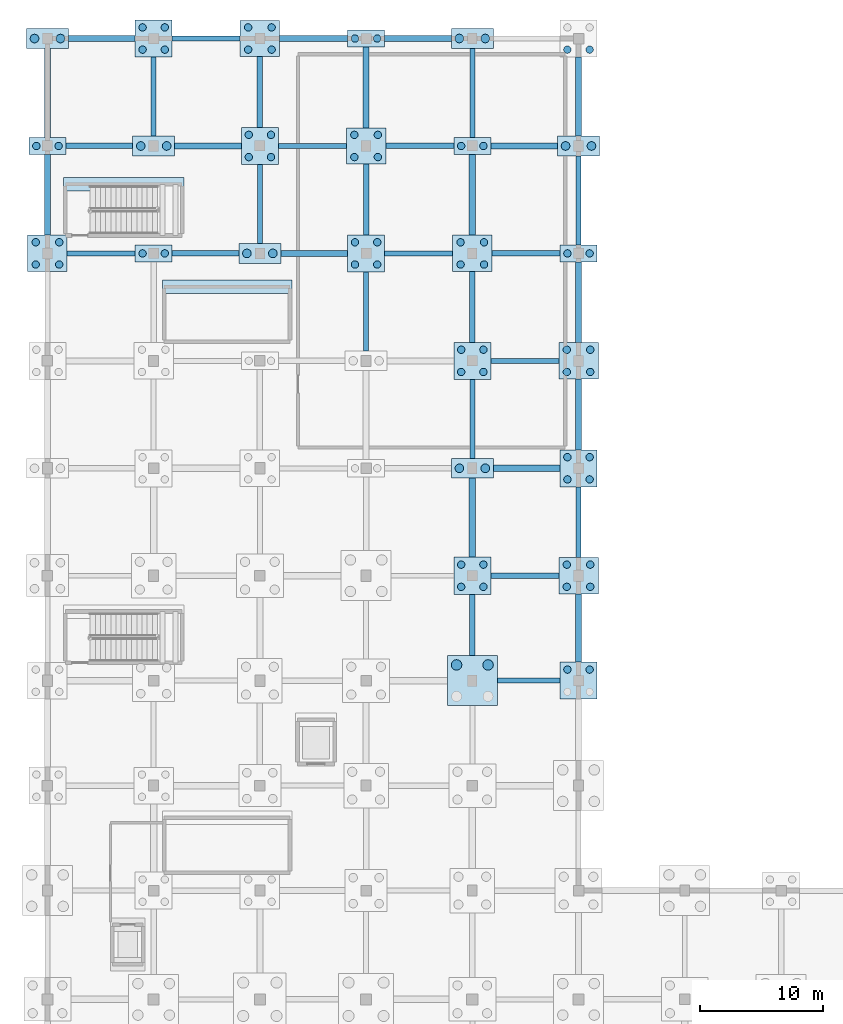
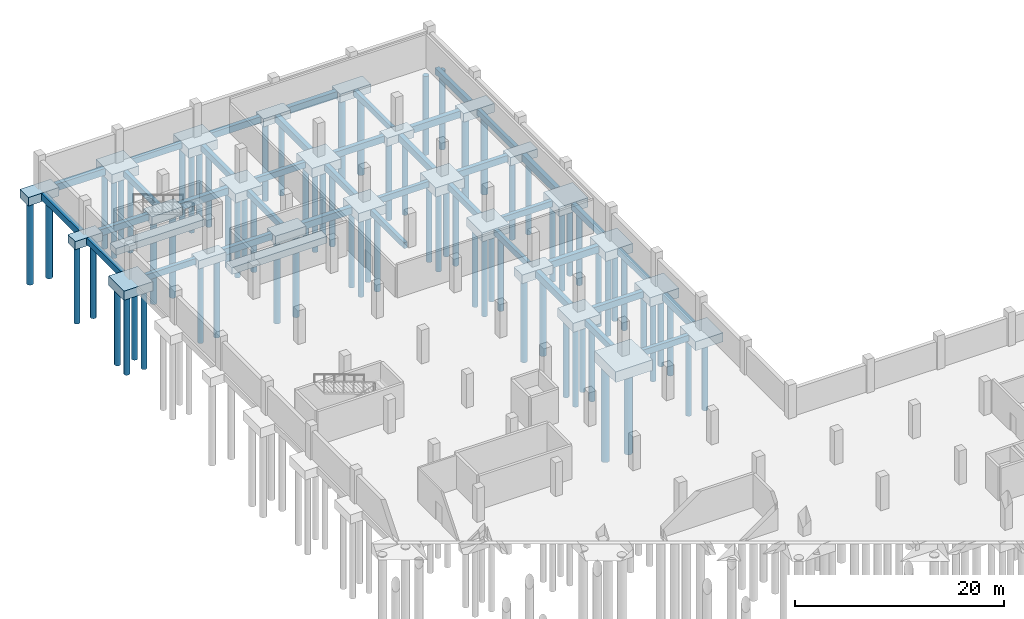
# One storey, part 8 of 28: 76 piles, 65 footings.
"""IFC4 building model written with IfcOpenShell, lengths in metres."""

from ifc_helpers import new_model, si_unit, direction, frame, origin, origin_2d, place, context, subcontext, project, spatial, rectangle, circle, extrude, material, material_profile, profile_set, type_object, element, save


model = new_model("IFC4")

# Units and contexts
model_context = context("Model", 3, precision=1e-05, world=origin(), true_north=direction((0.0, 1.0)))
body_context = subcontext(model_context, "Body", "Model", "MODEL_VIEW")
ifc_project = project(units=[si_unit("LENGTHUNIT", "METRE"), si_unit("AREAUNIT", "SQUARE_METRE"), si_unit("VOLUMEUNIT", "CUBIC_METRE"), si_unit("PLANEANGLEUNIT", "RADIAN"), si_unit("MASSUNIT", "GRAM", prefix="KILO")], contexts=[model_context])

# Site, building, storey
site_placement = place(None, origin())
site = spatial("IfcSite", under=ifc_project, at=site_placement, CompositionType="ELEMENT")
building_placement = place(site_placement, origin())
building = spatial("IfcBuilding", under=site, at=building_placement, Name="Varnakota Cinema and Media Centre", CompositionType="ELEMENT")
storey_placement = place(building_placement, frame((0.0, 0.0, -4.199951171875)))
storey = spatial("IfcBuildingStorey", under=building, at=storey_placement, Name="B1", CompositionType="ELEMENT", Elevation=-4.199951171875)

# Footings
ifc_material_1 = material(Name="Concrete M35", Category="concrete")
ifc_material_profile_1 = material_profile(ifc_material_1, rectangle(XDim=0.39990234375, YDim=0.699951171875, at=origin_2d()), Name="FB 400x700")
ifc_profile_set_1 = profile_set([ifc_material_profile_1], Name="Concrete M35")
footing_type_1 = type_object("IfcFootingType", Name="FB-400x700", PredefinedType="FOOTING_BEAM", material=ifc_profile_set_1)
footing_1_placement = place(storey_placement, frame((36.425048828125, 61.0, -0.60009765625), z_axis=(1.0, 0.0, 0.0), x_axis=(0.0, 1.0, 0.0)))
element("IfcFooting", 1, at=footing_1_placement, inside=storey, type_object=footing_type_1, Name="Foundation tie beam E-F/8", PredefinedType="FOOTING_BEAM", context=body_context, shape_type="SweptSolid", body=[
    extrude(rectangle(XDim=0.39990234375, YDim=0.699951171875, at=origin_2d()), origin(), (0.0, 0.0, 1.0), 5.074951171875),
])
for number, where, z_axis, x_axis, name in (
    (2, (35.89990234375, 86.89990234375, -0.60009765625), (1.0, 0.0, 0.0), (0.0, 1.0, 0.0), "Foundation tie beam E-F/11"),
    (3, (1.60009765625, 95.60009765625, -0.60009765625), (1.0, 0.0, 0.0), (0.0, 1.0, 0.0), "Foundation tie beam A-B/12"),
    (4, (27.300048828125, 95.60009765625, -0.60009765625), (1.0, 0.0, 0.0), (0.0, 1.0, 0.0), "Foundation tie beam D-E/12"),
    (5, (18.699951171875, 104.300048828125, -0.60009765625), (1.0, 0.0, 0.0), (0.0, 1.0, 0.0), "Foundation tie beam C-D/13"),
    (6, (10.10009765625, 113.0, -0.60009765625), (1.0, 0.0, 0.0), (0.0, 1.0, 0.0), "Foundation tie beam B-C/14"),
):
    element("IfcFooting", number, at=place(storey_placement, frame(where, z_axis=z_axis, x_axis=x_axis)), inside=storey, type_object=footing_type_1, Name=name, PredefinedType="FOOTING_BEAM", context=body_context, shape_type="SweptSolid", body=[
        extrude(rectangle(XDim=0.39990234375, YDim=0.699951171875, at=origin_2d()), origin(), (0.0, 0.0, 1.0), 5.5),
    ])
footing_2_placement = place(storey_placement, frame((8.60009765625, 105.10009765625, -0.60009765625), z_axis=(0.0, 1.0, 0.0), x_axis=(-1.0, 0.0, 0.0)))
element("IfcFooting", 7, at=footing_2_placement, inside=storey, type_object=footing_type_1, Name="Foundation tie beam B/13-14", PredefinedType="FOOTING_BEAM", context=body_context, shape_type="SweptSolid", body=[
    extrude(rectangle(XDim=0.39990234375, YDim=0.699951171875, at=origin_2d()), origin(), (0.0, 0.0, 1.0), 6.39990234375),
])
for number, where, z_axis, x_axis, name in (
    (8, (17.199951171875, 96.39990234375, -0.60009765625), (0.0, 1.0, 0.0), (-1.0, 0.0, 0.0), "Foundation tie beam C/12-13"),
    (9, (25.800048828125, 87.699951171875, -0.60009765625), (0.0, 1.0, 0.0), (-1.0, 0.0, 0.0), "Foundation tie beam D/11-12"),
):
    element("IfcFooting", number, at=place(storey_placement, frame(where, z_axis=z_axis, x_axis=x_axis)), inside=storey, type_object=footing_type_1, Name=name, PredefinedType="FOOTING_BEAM", context=body_context, shape_type="SweptSolid", body=[
        extrude(rectangle(XDim=0.39990234375, YDim=0.699951171875, at=origin_2d()), origin(), (0.0, 0.0, 1.0), 6.400146484375),
    ])
footing_3_placement = place(storey_placement, frame((34.39990234375, 79.0, -0.60009765625), z_axis=(0.0, 1.0, 0.0), x_axis=(-1.0, 0.0, 0.0)))
element("IfcFooting", 10, at=footing_3_placement, inside=storey, type_object=footing_type_1, Name="Foundation tie beam E/10-11", PredefinedType="FOOTING_BEAM", context=body_context, shape_type="SweptSolid", body=[
    extrude(rectangle(XDim=0.39990234375, YDim=0.699951171875, at=origin_2d()), origin(), (0.0, 0.0, 1.0), 6.39990234375),
])
footing_4_placement = place(storey_placement, frame((34.39990234375, 105.0, -0.60009765625), z_axis=(0.0, 1.0, 0.0), x_axis=(-1.0, 0.0, 0.0)))
element("IfcFooting", 11, at=footing_4_placement, inside=storey, type_object=footing_type_1, Name="Foundation tie beam E/13-14", PredefinedType="FOOTING_BEAM", context=body_context, shape_type="SweptSolid", body=[
    extrude(rectangle(XDim=0.39990234375, YDim=0.699951171875, at=origin_2d()), origin(), (0.0, 0.0, 1.0), 7.199951171875),
])
footing_5_placement = place(storey_placement, frame((43.0, 70.97509765625, -0.60009765625), z_axis=(0.0, 1.0, 0.0), x_axis=(-1.0, 0.0, 0.0)))
element("IfcFooting", 12, at=footing_5_placement, inside=storey, type_object=footing_type_1, Name="Foundation tie beam F/9-10", PredefinedType="FOOTING_BEAM", context=body_context, shape_type="SweptSolid", body=[
    extrude(rectangle(XDim=0.39990234375, YDim=0.699951171875, at=origin_2d()), origin(), (0.0, 0.0, 1.0), 5.724853515625),
])
footing_6_placement = place(storey_placement, frame((43.0, 96.300048828125, -0.60009765625), z_axis=(0.0, 1.0, 0.0), x_axis=(-1.0, 0.0, 0.0)))
element("IfcFooting", 13, at=footing_6_placement, inside=storey, type_object=footing_type_1, Name="Foundation tie beam F/12-13", PredefinedType="FOOTING_BEAM", context=body_context, shape_type="SweptSolid", body=[
    extrude(rectangle(XDim=0.39990234375, YDim=0.699951171875, at=origin_2d()), origin(), (0.0, 0.0, 1.0), 7.199951171875),
])
ifc_material_2 = material(Name="Concrete M35", Category="concrete")
ifc_material_profile_2 = material_profile(ifc_material_2, rectangle(XDim=0.449951171875, YDim=0.75, at=origin_2d()), Name="FB 450x750")
ifc_profile_set_2 = profile_set([ifc_material_profile_2], Name="Concrete M35")
footing_type_2 = type_object("IfcFootingType", Name="FB-450x750", PredefinedType="FOOTING_BEAM", material=ifc_profile_set_2)
footing_7_placement = place(storey_placement, frame((35.89990234375, 69.5, -0.625), z_axis=(1.0, 0.0, 0.0), x_axis=(0.0, 1.0, 0.0)))
element("IfcFooting", 14, at=footing_7_placement, inside=storey, type_object=footing_type_2, Name="Foundation tie beam E-F/9", PredefinedType="FOOTING_BEAM", context=body_context, shape_type="SweptSolid", body=[
    extrude(rectangle(XDim=0.449951171875, YDim=0.75, at=origin_2d()), origin(), (0.0, 0.0, 1.0), 5.5),
])
footing_8_placement = place(storey_placement, frame((10.10009765625, 95.60009765625, -0.625), z_axis=(1.0, 0.0, 0.0), x_axis=(0.0, 1.0, 0.0)))
element("IfcFooting", 15, at=footing_8_placement, inside=storey, type_object=footing_type_2, Name="Foundation tie beam B-C/12", PredefinedType="FOOTING_BEAM", context=body_context, shape_type="SweptSolid", body=[
    extrude(rectangle(XDim=0.449951171875, YDim=0.75, at=origin_2d()), origin(), (0.0, 0.0, 1.0), 5.39990234375),
])
footing_9_placement = place(storey_placement, frame((36.0, 95.60009765625, -0.625), z_axis=(1.0, 0.0, 0.0), x_axis=(0.0, 1.0, 0.0)))
element("IfcFooting", 16, at=footing_9_placement, inside=storey, type_object=footing_type_2, Name="Foundation tie beam E-F/12", PredefinedType="FOOTING_BEAM", context=body_context, shape_type="SweptSolid", body=[
    extrude(rectangle(XDim=0.449951171875, YDim=0.75, at=origin_2d()), origin(), (0.0, 0.0, 1.0), 5.5),
])
footing_10_placement = place(storey_placement, frame((1.5, 104.300048828125, -0.625), z_axis=(1.0, 0.0, 0.0), x_axis=(0.0, 1.0, 0.0)))
element("IfcFooting", 17, at=footing_10_placement, inside=storey, type_object=footing_type_2, Name="Foundation tie beam A-B/13", PredefinedType="FOOTING_BEAM", context=body_context, shape_type="SweptSolid", body=[
    extrude(rectangle(XDim=0.449951171875, YDim=0.75, at=origin_2d()), origin(), (0.0, 0.0, 1.0), 5.39990234375),
])
for number, where, z_axis, x_axis, name in (
    (18, (27.39990234375, 104.300048828125, -0.625), (1.0, 0.0, 0.0), (0.0, 1.0, 0.0), "Foundation tie beam D-E/13"),
    (19, (18.800048828125, 113.0, -0.625), (1.0, 0.0, 0.0), (0.0, 1.0, 0.0), "Foundation tie beam C-D/14"),
):
    element("IfcFooting", number, at=place(storey_placement, frame(where, z_axis=z_axis, x_axis=x_axis)), inside=storey, type_object=footing_type_2, Name=name, PredefinedType="FOOTING_BEAM", context=body_context, shape_type="SweptSolid", body=[
        extrude(rectangle(XDim=0.449951171875, YDim=0.75, at=origin_2d()), origin(), (0.0, 0.0, 1.0), 5.5),
    ])
footing_11_placement = place(storey_placement, frame((0.0, 97.074951171875, -0.625), z_axis=(0.0, 1.0, 0.0), x_axis=(-1.0, 0.0, 0.0)))
element("IfcFooting", 20, at=footing_11_placement, inside=storey, type_object=footing_type_2, Name="Foundation tie beam A/12-13", PredefinedType="FOOTING_BEAM", context=body_context, shape_type="SweptSolid", body=[
    extrude(rectangle(XDim=0.449951171875, YDim=0.75, at=origin_2d()), origin(), (0.0, 0.0, 1.0), 6.525146484375),
])
for number, where, z_axis, x_axis, name in (
    (21, (17.199951171875, 105.800048828125, -0.625), (0.0, 1.0, 0.0), (-1.0, 0.0, 0.0), "Foundation tie beam C/13-14"),
    (22, (25.800048828125, 97.10009765625, -0.625), (0.0, 1.0, 0.0), (-1.0, 0.0, 0.0), "Foundation tie beam D/12-13"),
):
    element("IfcFooting", number, at=place(storey_placement, frame(where, z_axis=z_axis, x_axis=x_axis)), inside=storey, type_object=footing_type_2, Name=name, PredefinedType="FOOTING_BEAM", context=body_context, shape_type="SweptSolid", body=[
        extrude(rectangle(XDim=0.449951171875, YDim=0.75, at=origin_2d()), origin(), (0.0, 0.0, 1.0), 5.724853515625),
    ])
footing_12_placement = place(storey_placement, frame((34.39990234375, 63.02490234375, -0.625), z_axis=(0.0, 1.0, 0.0), x_axis=(-1.0, 0.0, 0.0)))
element("IfcFooting", 23, at=footing_12_placement, inside=storey, type_object=footing_type_2, Name="Foundation tie beam E/8-9", PredefinedType="FOOTING_BEAM", context=body_context, shape_type="SweptSolid", body=[
    extrude(rectangle(XDim=0.449951171875, YDim=0.75, at=origin_2d()), origin(), (0.0, 0.0, 1.0), 4.97509765625),
])
for number, where, z_axis, x_axis, name in (
    (24, (34.39990234375, 88.39990234375, -0.625), (0.0, 1.0, 0.0), (-1.0, 0.0, 0.0), "Foundation tie beam E/11-12"),
    (25, (43.0, 79.699951171875, -0.625), (0.0, 1.0, 0.0), (-1.0, 0.0, 0.0), "Foundation tie beam F/10-11"),
):
    element("IfcFooting", number, at=place(storey_placement, frame(where, z_axis=z_axis, x_axis=x_axis)), inside=storey, type_object=footing_type_2, Name=name, PredefinedType="FOOTING_BEAM", context=body_context, shape_type="SweptSolid", body=[
        extrude(rectangle(XDim=0.449951171875, YDim=0.75, at=origin_2d()), origin(), (0.0, 0.0, 1.0), 5.72509765625),
    ])
footing_13_placement = place(storey_placement, frame((43.0, 105.10009765625, -0.625), z_axis=(0.0, 1.0, 0.0), x_axis=(-1.0, 0.0, 0.0)))
element("IfcFooting", 26, at=footing_13_placement, inside=storey, type_object=footing_type_2, Name="Foundation tie beam F/13-14", PredefinedType="FOOTING_BEAM", context=body_context, shape_type="SweptSolid", body=[
    extrude(rectangle(XDim=0.449951171875, YDim=0.75, at=origin_2d()), origin(), (0.0, 0.0, 1.0), 6.39990234375),
])
ifc_material_3 = material(Name="Concrete M35", Category="concrete")
ifc_material_profile_3 = material_profile(ifc_material_3, rectangle(XDim=0.5, YDim=0.800048828125, at=origin_2d()), Name="FB 500x800")
ifc_profile_set_3 = profile_set([ifc_material_profile_3], Name="Concrete M35")
footing_type_3 = type_object("IfcFootingType", Name="FB-500x800", PredefinedType="FOOTING_BEAM", material=ifc_profile_set_3)
footing_14_placement = place(storey_placement, frame((36.10009765625, 78.199951171875, -0.650146484375), z_axis=(1.0, 0.0, 0.0), x_axis=(0.0, 1.0, 0.0)))
element("IfcFooting", 27, at=footing_14_placement, inside=storey, type_object=footing_type_3, Name="Foundation tie beam E-F/10", PredefinedType="FOOTING_BEAM", context=body_context, shape_type="SweptSolid", body=[
    extrude(rectangle(XDim=0.5, YDim=0.800048828125, at=origin_2d()), origin(), (0.0, 0.0, 1.0), 5.39990234375),
])
footing_15_placement = place(storey_placement, frame((18.89990234375, 95.60009765625, -0.650146484375), z_axis=(1.0, 0.0, 0.0), x_axis=(0.0, 1.0, 0.0)))
element("IfcFooting", 28, at=footing_15_placement, inside=storey, type_object=footing_type_3, Name="Foundation tie beam C-D/12", PredefinedType="FOOTING_BEAM", context=body_context, shape_type="SweptSolid", body=[
    extrude(rectangle(XDim=0.5, YDim=0.800048828125, at=origin_2d()), origin(), (0.0, 0.0, 1.0), 5.400146484375),
])
footing_16_placement = place(storey_placement, frame((10.300048828125, 104.300048828125, -0.650146484375), z_axis=(1.0, 0.0, 0.0), x_axis=(0.0, 1.0, 0.0)))
element("IfcFooting", 29, at=footing_16_placement, inside=storey, type_object=footing_type_3, Name="Foundation tie beam B-C/13", PredefinedType="FOOTING_BEAM", context=body_context, shape_type="SweptSolid", body=[
    extrude(rectangle(XDim=0.5, YDim=0.800048828125, at=origin_2d()), origin(), (0.0, 0.0, 1.0), 5.39990234375),
])
for number, where, z_axis, x_axis, name in (
    (30, (35.89990234375, 104.300048828125, -0.650146484375), (1.0, 0.0, 0.0), (0.0, 1.0, 0.0), "Foundation tie beam E-F/13"),
    (31, (1.699951171875, 113.0, -0.650146484375), (1.0, 0.0, 0.0), (0.0, 1.0, 0.0), "Foundation tie beam A-B/14"),
):
    element("IfcFooting", number, at=place(storey_placement, frame(where, z_axis=z_axis, x_axis=x_axis)), inside=storey, type_object=footing_type_3, Name=name, PredefinedType="FOOTING_BEAM", context=body_context, shape_type="SweptSolid", body=[
        extrude(rectangle(XDim=0.5, YDim=0.800048828125, at=origin_2d()), origin(), (0.0, 0.0, 1.0), 5.400146484375),
    ])
footing_17_placement = place(storey_placement, frame((27.300048828125, 113.0, -0.650146484375), z_axis=(1.0, 0.0, 0.0), x_axis=(0.0, 1.0, 0.0)))
element("IfcFooting", 32, at=footing_17_placement, inside=storey, type_object=footing_type_3, Name="Foundation tie beam D-E/14", PredefinedType="FOOTING_BEAM", context=body_context, shape_type="SweptSolid", body=[
    extrude(rectangle(XDim=0.5, YDim=0.800048828125, at=origin_2d()), origin(), (0.0, 0.0, 1.0), 5.39990234375),
])
footing_18_placement = place(storey_placement, frame((0.0, 105.0, -0.650146484375), z_axis=(0.0, 1.0, 0.0), x_axis=(-1.0, 0.0, 0.0)))
element("IfcFooting", 33, at=footing_18_placement, inside=storey, type_object=footing_type_3, Name="Foundation tie beam A/13-14", PredefinedType="FOOTING_BEAM", context=body_context, shape_type="SweptSolid", body=[
    extrude(rectangle(XDim=0.5, YDim=0.800048828125, at=origin_2d()), origin(), (0.0, 0.0, 1.0), 7.199951171875),
])
footing_19_placement = place(storey_placement, frame((25.800048828125, 105.77490234375, -0.650146484375), z_axis=(0.0, 1.0, 0.0), x_axis=(-1.0, 0.0, 0.0)))
element("IfcFooting", 34, at=footing_19_placement, inside=storey, type_object=footing_type_3, Name="Foundation tie beam D/13-14", PredefinedType="FOOTING_BEAM", context=body_context, shape_type="SweptSolid", body=[
    extrude(rectangle(XDim=0.5, YDim=0.800048828125, at=origin_2d()), origin(), (0.0, 0.0, 1.0), 6.525146484375),
])
footing_20_placement = place(storey_placement, frame((34.39990234375, 71.0, -0.650146484375), z_axis=(0.0, 1.0, 0.0), x_axis=(-1.0, 0.0, 0.0)))
element("IfcFooting", 35, at=footing_20_placement, inside=storey, type_object=footing_type_3, Name="Foundation tie beam E/9-10", PredefinedType="FOOTING_BEAM", context=body_context, shape_type="SweptSolid", body=[
    extrude(rectangle(XDim=0.5, YDim=0.800048828125, at=origin_2d()), origin(), (0.0, 0.0, 1.0), 6.39990234375),
])
footing_21_placement = place(storey_placement, frame((34.39990234375, 97.074951171875, -0.650146484375), z_axis=(0.0, 1.0, 0.0), x_axis=(-1.0, 0.0, 0.0)))
element("IfcFooting", 36, at=footing_21_placement, inside=storey, type_object=footing_type_3, Name="Foundation tie beam E/12-13", PredefinedType="FOOTING_BEAM", context=body_context, shape_type="SweptSolid", body=[
    extrude(rectangle(XDim=0.5, YDim=0.800048828125, at=origin_2d()), origin(), (0.0, 0.0, 1.0), 6.525146484375),
])
footing_22_placement = place(storey_placement, frame((43.0, 62.5, -0.650146484375), z_axis=(0.0, 1.0, 0.0), x_axis=(-1.0, 0.0, 0.0)))
element("IfcFooting", 37, at=footing_22_placement, inside=storey, type_object=footing_type_3, Name="Foundation tie beam F/8-9", PredefinedType="FOOTING_BEAM", context=body_context, shape_type="SweptSolid", body=[
    extrude(rectangle(XDim=0.5, YDim=0.800048828125, at=origin_2d()), origin(), (0.0, 0.0, 1.0), 5.52490234375),
])
footing_23_placement = place(storey_placement, frame((43.0, 88.375, -0.650146484375), z_axis=(0.0, 1.0, 0.0), x_axis=(-1.0, 0.0, 0.0)))
element("IfcFooting", 38, at=footing_23_placement, inside=storey, type_object=footing_type_3, Name="Foundation tie beam F/11-12", PredefinedType="FOOTING_BEAM", context=body_context, shape_type="SweptSolid", body=[
    extrude(rectangle(XDim=0.5, YDim=0.800048828125, at=origin_2d()), origin(), (0.0, 0.0, 1.0), 6.52490234375),
])
ifc_material_4 = material(Name="Concrete M35", Category="concrete")
footing_type_4 = type_object("IfcFootingType", Name="PC-2P-600", PredefinedType="PILE_CAP", material=ifc_material_4)
for number, where, z_axis, x_axis, name in (
    (39, (0.0, 104.300048828125, -1.2001953125), (0.0, 0.0, 1.0), (1.0, 0.0, 0.0), "Pile cap A/13"),
    (40, (8.60009765625, 95.60009765625, -1.2001953125), (0.0, 0.0, 1.0), (1.0, 0.0, 0.0), "Pile cap B/12"),
    (41, (25.800048828125, 113.0, -1.2001953125), (0.0, 0.0, 1.0), (1.0, 0.0, 0.0), "Pile cap D/14"),
    (42, (34.39990234375, 104.300048828125, -1.2001953125), (0.0, 0.0, 1.0), (1.0, 0.0, 0.0), "Pile cap E/13"),
    (43, (43.0, 95.60009765625, -1.2001953125), (0.0, 0.0, 1.0), (1.0, 0.0, 0.0), "Pile cap F/12"),
):
    element("IfcFooting", number, at=place(storey_placement, frame(where, z_axis=z_axis, x_axis=x_axis)), inside=storey, type_object=footing_type_4, Name=name, PredefinedType="PILE_CAP", context=body_context, shape_type="SweptSolid", body=[
        extrude(rectangle(XDim=3.0, YDim=1.39990234375, at=origin_2d()), origin(), (0.0, 0.0, 1.0), 0.949951171875),
    ])
ifc_material_5 = material(Name="Concrete M35", Category="concrete")
footing_type_5 = type_object("IfcFootingType", Name="PC-2P-700", PredefinedType="PILE_CAP", material=ifc_material_5)
for number, where, z_axis, x_axis, name in (
    (44, (0.0, 113.0, -1.25), (0.0, 0.0, 1.0), (1.0, 0.0, 0.0), "Pile cap A/14"),
    (45, (8.60009765625, 104.300048828125, -1.25), (0.0, 0.0, 1.0), (1.0, 0.0, 0.0), "Pile cap B/13"),
    (46, (17.199951171875, 95.60009765625, -1.25), (0.0, 0.0, 1.0), (1.0, 0.0, 0.0), "Pile cap C/12"),
    (47, (34.39990234375, 78.199951171875, -1.25), (0.0, 0.0, 1.0), (1.0, 0.0, 0.0), "Pile cap E/10"),
    (48, (34.39990234375, 113.0, -1.25), (0.0, 0.0, 1.0), (1.0, 0.0, 0.0), "Pile cap E/14"),
    (49, (43.0, 104.300048828125, -1.25), (0.0, 0.0, 1.0), (1.0, 0.0, 0.0), "Pile cap F/13"),
):
    element("IfcFooting", number, at=place(storey_placement, frame(where, z_axis=z_axis, x_axis=x_axis)), inside=storey, type_object=footing_type_5, Name=name, PredefinedType="PILE_CAP", context=body_context, shape_type="SweptSolid", body=[
        extrude(rectangle(XDim=3.39990234375, YDim=1.60009765625, at=origin_2d()), origin(), (0.0, 0.0, 1.0), 1.0),
    ])
ifc_material_6 = material(Name="Concrete M35", Category="concrete")
footing_type_6 = type_object("IfcFootingType", Name="PC-4P-600", PredefinedType="PILE_CAP", material=ifc_material_6)
for number, where, z_axis, x_axis, name in (
    (50, (8.60009765625, 113.0, -1.30029296875), (0.0, 0.0, 1.0), (1.0, 0.0, 0.0), "Pile cap B/14"),
    (51, (17.199951171875, 104.300048828125, -1.30029296875), (0.0, 0.0, 1.0), (1.0, 0.0, 0.0), "Pile cap C/13"),
    (52, (25.800048828125, 95.60009765625, -1.30029296875), (0.0, 0.0, 1.0), (1.0, 0.0, 0.0), "Pile cap D/12"),
    (53, (34.39990234375, 69.5, -1.30029296875), (0.0, 0.0, 1.0), (1.0, 0.0, 0.0), "Pile cap E/9"),
    (54, (34.39990234375, 86.89990234375, -1.30029296875), (0.0, 0.0, 1.0), (1.0, 0.0, 0.0), "Pile cap E/11"),
    (55, (43.0, 61.0, -1.30029296875), (0.0, 0.0, 1.0), (1.0, 0.0, 0.0), "Pile cap F/8"),
    (56, (43.0, 78.199951171875, -1.30029296875), (0.0, 0.0, 1.0), (1.0, 0.0, 0.0), "Pile cap F/10"),
):
    element("IfcFooting", number, at=place(storey_placement, frame(where, z_axis=z_axis, x_axis=x_axis)), inside=storey, type_object=footing_type_6, Name=name, PredefinedType="PILE_CAP", context=body_context, shape_type="SweptSolid", body=[
        extrude(rectangle(XDim=3.0, YDim=3.0, at=origin_2d()), origin(), (0.0, 0.0, 1.0), 1.050048828125),
    ])
ifc_material_7 = material(Name="Concrete M35", Category="concrete")
footing_type_7 = type_object("IfcFootingType", Name="PC-4P-600R", PredefinedType="PILE_CAP", material=ifc_material_7)
for number, where, z_axis, x_axis, name in (
    (57, (0.0, 95.60009765625, -1.330078125), (0.0, 0.0, 1.0), (1.0, 0.0, 0.0), "Pile cap A/12"),
    (58, (17.199951171875, 113.0, -1.330078125), (0.0, 0.0, 1.0), (1.0, 0.0, 0.0), "Pile cap C/14"),
    (59, (25.800048828125, 104.300048828125, -1.330078125), (0.0, 0.0, 1.0), (1.0, 0.0, 0.0), "Pile cap D/13"),
    (60, (34.39990234375, 95.60009765625, -1.330078125), (0.0, 0.0, 1.0), (1.0, 0.0, 0.0), "Pile cap E/12"),
    (61, (43.0, 69.5, -1.330078125), (0.0, 0.0, 1.0), (1.0, 0.0, 0.0), "Pile cap F/9"),
    (62, (43.0, 86.89990234375, -1.330078125), (0.0, 0.0, 1.0), (1.0, 0.0, 0.0), "Pile cap F/11"),
):
    element("IfcFooting", number, at=place(storey_placement, frame(where, z_axis=z_axis, x_axis=x_axis)), inside=storey, type_object=footing_type_7, Name=name, PredefinedType="PILE_CAP", context=body_context, shape_type="SweptSolid", body=[
        extrude(rectangle(XDim=3.199951171875, YDim=2.949951171875, at=origin_2d()), origin(), (0.0, 0.0, 1.0), 1.080078125),
    ])
ifc_material_8 = material(Name="Concrete M35", Category="concrete")
footing_type_8 = type_object("IfcFootingType", Name="PC-4P-850", PredefinedType="PILE_CAP", material=ifc_material_8)
footing_24_placement = place(storey_placement, frame((34.39990234375, 61.0, -1.5), z_axis=(0.0, 0.0, 1.0), x_axis=(1.0, 0.0, 0.0)))
element("IfcFooting", 63, at=footing_24_placement, inside=storey, type_object=footing_type_8, Name="Pile cap E/8", PredefinedType="PILE_CAP", context=body_context, shape_type="SweptSolid", body=[
    extrude(rectangle(XDim=4.050048828125, YDim=4.050048828125, at=origin_2d()), origin(), (0.0, 0.0, 1.0), 1.25),
])

# Piles
ifc_material_9 = material(Name="Concrete M35", Category="concrete")
ifc_material_profile_4 = material_profile(ifc_material_9, circle(Radius=0.300048828125, at=origin_2d()), Name="PILE D600")
ifc_profile_set_4 = profile_set([ifc_material_profile_4], Name="Concrete M35")
pile_type_1 = type_object("IfcPileType", Name="PILE-D600", PredefinedType="BORED", material=ifc_profile_set_4)
for number, where, z_axis, x_axis, name in (
    (64, (-0.949951171875, 94.699951171875, -1.22998046875), (0.0, 0.0, -1.0), (1.0, 0.0, 0.0), "Bored pile A/12-1"),
    (65, (0.949951171875, 94.699951171875, -1.22998046875), (0.0, 0.0, -1.0), (1.0, 0.0, 0.0), "Bored pile A/12-2"),
    (66, (-0.949951171875, 96.5, -1.22998046875), (0.0, 0.0, -1.0), (1.0, 0.0, 0.0), "Bored pile A/12-3"),
    (67, (0.949951171875, 96.5, -1.22998046875), (0.0, 0.0, -1.0), (1.0, 0.0, 0.0), "Bored pile A/12-4"),
    (68, (-0.89990234375, 104.300048828125, -1.10009765625), (0.0, 0.0, -1.0), (1.0, 0.0, 0.0), "Bored pile A/13-1"),
    (69, (0.89990234375, 104.300048828125, -1.10009765625), (0.0, 0.0, -1.0), (1.0, 0.0, 0.0), "Bored pile A/13-2"),
    (70, (7.699951171875, 95.60009765625, -1.10009765625), (0.0, 0.0, -1.0), (1.0, 0.0, 0.0), "Bored pile B/12-1"),
    (71, (9.5, 95.60009765625, -1.10009765625), (0.0, 0.0, -1.0), (1.0, 0.0, 0.0), "Bored pile B/12-2"),
    (72, (7.699951171875, 112.10009765625, -1.199951171875), (0.0, 0.0, -1.0), (1.0, 0.0, 0.0), "Bored pile B/14-1"),
    (73, (9.5, 112.10009765625, -1.199951171875), (0.0, 0.0, -1.0), (1.0, 0.0, 0.0), "Bored pile B/14-2"),
    (74, (7.699951171875, 113.89990234375, -1.199951171875), (0.0, 0.0, -1.0), (1.0, 0.0, 0.0), "Bored pile B/14-3"),
    (75, (9.5, 113.89990234375, -1.199951171875), (0.0, 0.0, -1.0), (1.0, 0.0, 0.0), "Bored pile B/14-4"),
    (76, (16.300048828125, 103.39990234375, -1.199951171875), (0.0, 0.0, -1.0), (1.0, 0.0, 0.0), "Bored pile C/13-1"),
    (77, (18.10009765625, 103.39990234375, -1.199951171875), (0.0, 0.0, -1.0), (1.0, 0.0, 0.0), "Bored pile C/13-2"),
    (78, (16.300048828125, 105.199951171875, -1.199951171875), (0.0, 0.0, -1.0), (1.0, 0.0, 0.0), "Bored pile C/13-3"),
    (79, (18.10009765625, 105.199951171875, -1.199951171875), (0.0, 0.0, -1.0), (1.0, 0.0, 0.0), "Bored pile C/13-4"),
    (80, (16.25, 112.10009765625, -1.22998046875), (0.0, 0.0, -1.0), (1.0, 0.0, 0.0), "Bored pile C/14-1"),
    (81, (18.14990234375, 112.10009765625, -1.22998046875), (0.0, 0.0, -1.0), (1.0, 0.0, 0.0), "Bored pile C/14-2"),
    (82, (16.25, 113.89990234375, -1.22998046875), (0.0, 0.0, -1.0), (1.0, 0.0, 0.0), "Bored pile C/14-3"),
    (83, (18.14990234375, 113.89990234375, -1.22998046875), (0.0, 0.0, -1.0), (1.0, 0.0, 0.0), "Bored pile C/14-4"),
    (84, (24.89990234375, 94.699951171875, -1.199951171875), (0.0, 0.0, -1.0), (1.0, 0.0, 0.0), "Bored pile D/12-1"),
    (85, (26.699951171875, 94.699951171875, -1.199951171875), (0.0, 0.0, -1.0), (1.0, 0.0, 0.0), "Bored pile D/12-2"),
    (86, (24.89990234375, 96.5, -1.199951171875), (0.0, 0.0, -1.0), (1.0, 0.0, 0.0), "Bored pile D/12-3"),
    (87, (26.699951171875, 96.5, -1.199951171875), (0.0, 0.0, -1.0), (1.0, 0.0, 0.0), "Bored pile D/12-4"),
    (88, (24.85009765625, 103.39990234375, -1.22998046875), (0.0, 0.0, -1.0), (1.0, 0.0, 0.0), "Bored pile D/13-1"),
    (89, (26.75, 103.39990234375, -1.22998046875), (0.0, 0.0, -1.0), (1.0, 0.0, 0.0), "Bored pile D/13-2"),
    (90, (24.85009765625, 105.199951171875, -1.22998046875), (0.0, 0.0, -1.0), (1.0, 0.0, 0.0), "Bored pile D/13-3"),
    (91, (26.75, 105.199951171875, -1.22998046875), (0.0, 0.0, -1.0), (1.0, 0.0, 0.0), "Bored pile D/13-4"),
    (92, (24.89990234375, 113.0, -1.10009765625), (0.0, 0.0, -1.0), (1.0, 0.0, 0.0), "Bored pile D/14-1"),
    (93, (26.699951171875, 113.0, -1.10009765625), (0.0, 0.0, -1.0), (1.0, 0.0, 0.0), "Bored pile D/14-2"),
    (94, (33.5, 68.60009765625, -1.199951171875), (0.0, 0.0, -1.0), (1.0, 0.0, 0.0), "Bored pile E/9-1"),
    (95, (35.300048828125, 68.60009765625, -1.199951171875), (0.0, 0.0, -1.0), (1.0, 0.0, 0.0), "Bored pile E/9-2"),
    (96, (33.5, 70.39990234375, -1.199951171875), (0.0, 0.0, -1.0), (1.0, 0.0, 0.0), "Bored pile E/9-3"),
    (97, (35.300048828125, 70.39990234375, -1.199951171875), (0.0, 0.0, -1.0), (1.0, 0.0, 0.0), "Bored pile E/9-4"),
    (98, (33.5, 86.0, -1.199951171875), (0.0, 0.0, -1.0), (1.0, 0.0, 0.0), "Bored pile E/11-1"),
    (99, (35.300048828125, 86.0, -1.199951171875), (0.0, 0.0, -1.0), (1.0, 0.0, 0.0), "Bored pile E/11-2"),
    (100, (33.5, 87.800048828125, -1.199951171875), (0.0, 0.0, -1.0), (1.0, 0.0, 0.0), "Bored pile E/11-3"),
    (101, (35.300048828125, 87.800048828125, -1.199951171875), (0.0, 0.0, -1.0), (1.0, 0.0, 0.0), "Bored pile E/11-4"),
    (102, (33.449951171875, 94.699951171875, -1.22998046875), (0.0, 0.0, -1.0), (1.0, 0.0, 0.0), "Bored pile E/12-1"),
    (103, (35.35009765625, 94.699951171875, -1.22998046875), (0.0, 0.0, -1.0), (1.0, 0.0, 0.0), "Bored pile E/12-2"),
    (104, (33.449951171875, 96.5, -1.22998046875), (0.0, 0.0, -1.0), (1.0, 0.0, 0.0), "Bored pile E/12-3"),
    (105, (35.35009765625, 96.5, -1.22998046875), (0.0, 0.0, -1.0), (1.0, 0.0, 0.0), "Bored pile E/12-4"),
    (106, (33.5, 104.300048828125, -1.10009765625), (0.0, 0.0, -1.0), (1.0, 0.0, 0.0), "Bored pile E/13-1"),
    (107, (35.300048828125, 104.300048828125, -1.10009765625), (0.0, 0.0, -1.0), (1.0, 0.0, 0.0), "Bored pile E/13-2"),
    (108, (42.10009765625, 61.89990234375, -1.199951171875), (0.0, 0.0, -1.0), (1.0, 0.0, 0.0), "Bored pile F/8-3"),
    (109, (43.89990234375, 61.89990234375, -1.199951171875), (0.0, 0.0, -1.0), (1.0, 0.0, 0.0), "Bored pile F/8-4"),
    (110, (42.050048828125, 68.60009765625, -1.22998046875), (0.0, 0.0, -1.0), (1.0, 0.0, 0.0), "Bored pile F/9-1"),
    (111, (43.949951171875, 68.60009765625, -1.22998046875), (0.0, 0.0, -1.0), (1.0, 0.0, 0.0), "Bored pile F/9-2"),
    (112, (42.050048828125, 70.39990234375, -1.22998046875), (0.0, 0.0, -1.0), (1.0, 0.0, 0.0), "Bored pile F/9-3"),
    (113, (43.949951171875, 70.39990234375, -1.22998046875), (0.0, 0.0, -1.0), (1.0, 0.0, 0.0), "Bored pile F/9-4"),
    (114, (42.10009765625, 77.300048828125, -1.199951171875), (0.0, 0.0, -1.0), (1.0, 0.0, 0.0), "Bored pile F/10-1"),
    (115, (43.89990234375, 77.300048828125, -1.199951171875), (0.0, 0.0, -1.0), (1.0, 0.0, 0.0), "Bored pile F/10-2"),
    (116, (42.10009765625, 79.10009765625, -1.199951171875), (0.0, 0.0, -1.0), (1.0, 0.0, 0.0), "Bored pile F/10-3"),
    (117, (43.89990234375, 79.10009765625, -1.199951171875), (0.0, 0.0, -1.0), (1.0, 0.0, 0.0), "Bored pile F/10-4"),
    (118, (42.050048828125, 86.0, -1.22998046875), (0.0, 0.0, -1.0), (1.0, 0.0, 0.0), "Bored pile F/11-1"),
    (119, (43.949951171875, 86.0, -1.22998046875), (0.0, 0.0, -1.0), (1.0, 0.0, 0.0), "Bored pile F/11-2"),
    (120, (42.050048828125, 87.800048828125, -1.22998046875), (0.0, 0.0, -1.0), (1.0, 0.0, 0.0), "Bored pile F/11-3"),
    (121, (43.949951171875, 87.800048828125, -1.22998046875), (0.0, 0.0, -1.0), (1.0, 0.0, 0.0), "Bored pile F/11-4"),
    (122, (42.10009765625, 95.60009765625, -1.10009765625), (0.0, 0.0, -1.0), (1.0, 0.0, 0.0), "Bored pile F/12-1"),
    (123, (43.89990234375, 95.60009765625, -1.10009765625), (0.0, 0.0, -1.0), (1.0, 0.0, 0.0), "Bored pile F/12-2"),
    (124, (42.10009765625, 112.10009765625, -1.199951171875), (0.0, 0.0, -1.0), (1.0, 0.0, 0.0), "Bored pile F/14-1"),
    (125, (43.89990234375, 112.10009765625, -1.199951171875), (0.0, 0.0, -1.0), (1.0, 0.0, 0.0), "Bored pile F/14-2"),
):
    element("IfcPile", number, at=place(storey_placement, frame(where, z_axis=z_axis, x_axis=x_axis)), inside=storey, type_object=pile_type_1, Name=name, PredefinedType="BORED", context=body_context, shape_type="SweptSolid", body=[
        extrude(circle(Radius=0.300048828125, at=origin_2d()), origin(), (0.0, 0.0, 1.0), 9.199951171875),
    ])
ifc_material_10 = material(Name="Concrete M35", Category="concrete")
ifc_material_profile_5 = material_profile(ifc_material_10, circle(Radius=0.35009765625, at=origin_2d()), Name="PILE D700")
ifc_profile_set_5 = profile_set([ifc_material_profile_5], Name="Concrete M35")
pile_type_2 = type_object("IfcPileType", Name="PILE-D700", PredefinedType="BORED", material=ifc_profile_set_5)
for number, where, z_axis, x_axis, name in (
    (126, (-1.050048828125, 113.0, -1.150146484375), (0.0, 0.0, -1.0), (1.0, 0.0, 0.0), "Bored pile A/14-1"),
    (127, (1.050048828125, 113.0, -1.150146484375), (0.0, 0.0, -1.0), (1.0, 0.0, 0.0), "Bored pile A/14-2"),
    (128, (7.550048828125, 104.300048828125, -1.150146484375), (0.0, 0.0, -1.0), (1.0, 0.0, 0.0), "Bored pile B/13-1"),
    (129, (9.64990234375, 104.300048828125, -1.150146484375), (0.0, 0.0, -1.0), (1.0, 0.0, 0.0), "Bored pile B/13-2"),
    (130, (16.14990234375, 95.60009765625, -1.150146484375), (0.0, 0.0, -1.0), (1.0, 0.0, 0.0), "Bored pile C/12-1"),
    (131, (18.25, 95.60009765625, -1.150146484375), (0.0, 0.0, -1.0), (1.0, 0.0, 0.0), "Bored pile C/12-2"),
    (132, (33.35009765625, 78.199951171875, -1.150146484375), (0.0, 0.0, -1.0), (1.0, 0.0, 0.0), "Bored pile E/10-1"),
    (133, (35.449951171875, 78.199951171875, -1.150146484375), (0.0, 0.0, -1.0), (1.0, 0.0, 0.0), "Bored pile E/10-2"),
    (134, (33.35009765625, 113.0, -1.150146484375), (0.0, 0.0, -1.0), (1.0, 0.0, 0.0), "Bored pile E/14-1"),
    (135, (35.449951171875, 113.0, -1.150146484375), (0.0, 0.0, -1.0), (1.0, 0.0, 0.0), "Bored pile E/14-2"),
    (136, (41.949951171875, 104.300048828125, -1.150146484375), (0.0, 0.0, -1.0), (1.0, 0.0, 0.0), "Bored pile F/13-1"),
    (137, (44.050048828125, 104.300048828125, -1.150146484375), (0.0, 0.0, -1.0), (1.0, 0.0, 0.0), "Bored pile F/13-2"),
):
    element("IfcPile", number, at=place(storey_placement, frame(where, z_axis=z_axis, x_axis=x_axis)), inside=storey, type_object=pile_type_2, Name=name, PredefinedType="BORED", context=body_context, shape_type="SweptSolid", body=[
        extrude(circle(Radius=0.35009765625, at=origin_2d()), origin(), (0.0, 0.0, 1.0), 9.800048828125),
    ])
ifc_material_11 = material(Name="Concrete M35", Category="concrete")
ifc_material_profile_6 = material_profile(ifc_material_11, circle(Radius=0.425048828125, at=origin_2d()), Name="PILE D850")
ifc_profile_set_6 = profile_set([ifc_material_profile_6], Name="Concrete M35")
pile_type_3 = type_object("IfcPileType", Name="PILE-D850", PredefinedType="BORED", material=ifc_profile_set_6)
for number, where, z_axis, x_axis, name in (
    (138, (33.125, 62.27490234375, -1.400146484375), (0.0, 0.0, -1.0), (1.0, 0.0, 0.0), "Bored pile E/8-3"),
    (139, (35.675048828125, 62.27490234375, -1.400146484375), (0.0, 0.0, -1.0), (1.0, 0.0, 0.0), "Bored pile E/8-4"),
):
    element("IfcPile", number, at=place(storey_placement, frame(where, z_axis=z_axis, x_axis=x_axis)), inside=storey, type_object=pile_type_3, Name=name, PredefinedType="BORED", context=body_context, shape_type="SweptSolid", body=[
        extrude(circle(Radius=0.425048828125, at=origin_2d()), origin(), (0.0, 0.0, 1.0), 11.39990234375),
    ])

# Footings
ifc_material_12 = material(Name="Concrete M35", Category="concrete")
ifc_material_profile_7 = material_profile(ifc_material_12, rectangle(XDim=1.10009765625, YDim=0.800048828125, at=origin_2d()), Name="SF 1100x800")
ifc_profile_set_7 = profile_set([ifc_material_profile_7], Name="Concrete M35")
footing_type_9 = type_object("IfcFootingType", Name="SF-CORE-1100x800", PredefinedType="STRIP_FOOTING", material=ifc_profile_set_7)
footing_25_placement = place(storey_placement, frame((9.300048828125, 92.89990234375, -0.650146484375), z_axis=(1.0, 0.0, 0.0), x_axis=(0.0, 1.0, 0.0)))
element("IfcFooting", 140, at=footing_25_placement, inside=storey, type_object=footing_type_9, Name="Core strip footing ST-05 N", PredefinedType="STRIP_FOOTING", context=body_context, shape_type="SweptSolid", body=[
    extrude(rectangle(XDim=1.10009765625, YDim=0.800048828125, at=origin_2d()), origin(), (0.0, 0.0, 1.0), 10.47998046875),
])
footing_26_placement = place(storey_placement, frame((1.300048828125, 101.199951171875, -0.650146484375), z_axis=(1.0, 0.0, 0.0), x_axis=(0.0, 1.0, 0.0)))
element("IfcFooting", 141, at=footing_26_placement, inside=storey, type_object=footing_type_9, Name="Core strip footing ST-B4 N", PredefinedType="STRIP_FOOTING", context=body_context, shape_type="SweptSolid", body=[
    extrude(rectangle(XDim=1.10009765625, YDim=0.800048828125, at=origin_2d()), origin(), (0.0, 0.0, 1.0), 9.760009765625),
])

save(model, "model.ifc")
